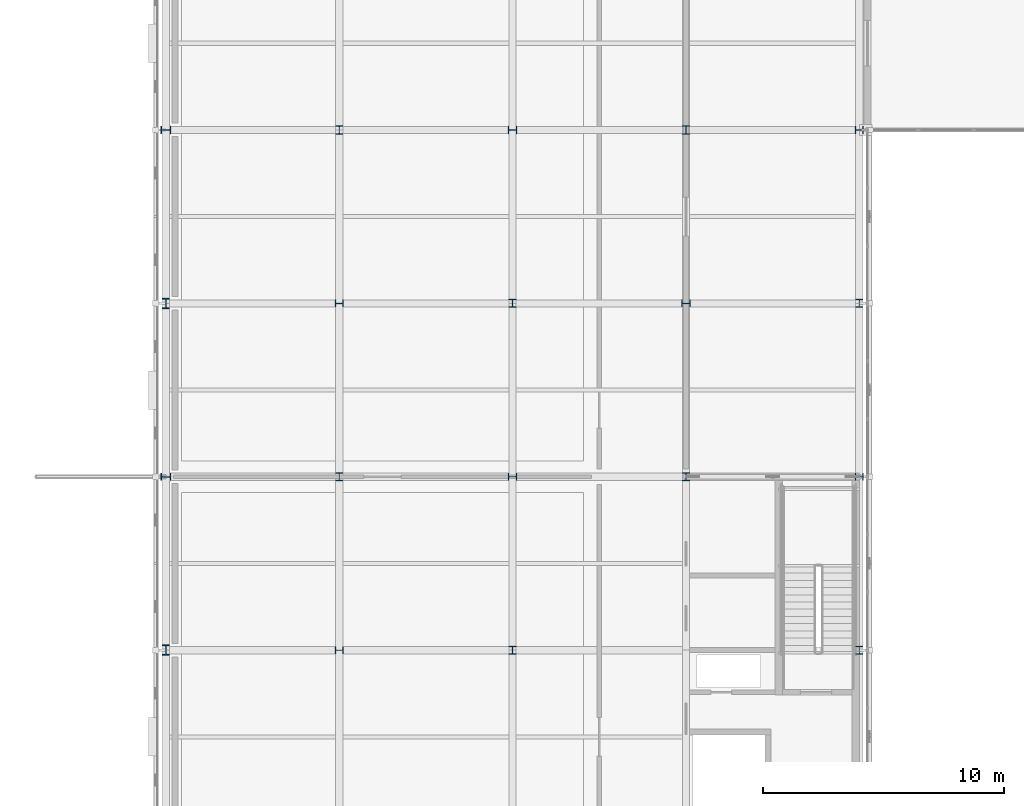
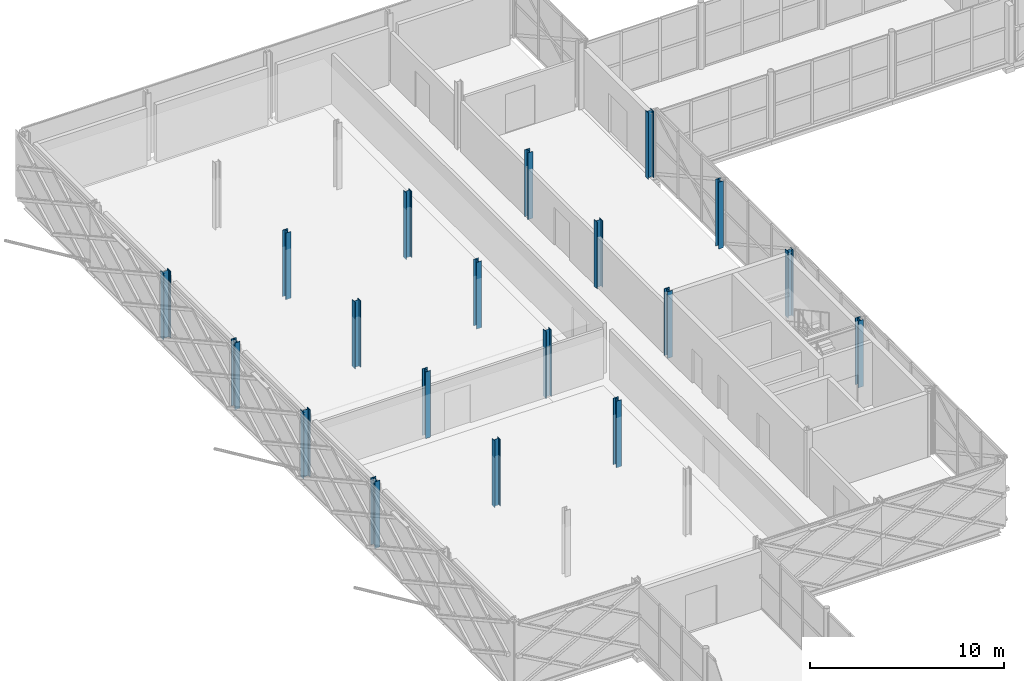
# One storey, part 12 of 146: 19 columns.
"""IFC4 building model written with IfcOpenShell, lengths in metres."""

import ifcopenshell
import ifcopenshell.guid

model = None  # the IFC model being written
_history = None  # IfcOwnerHistory: only IFC2X3 demands one
_inside = {}  # id of a spatial element -> (the spatial element, [elements in it])
_under = {}  # id of a project, library or spatial element -> (it, [spatial elements below it])
_declared = {}  # id of a project -> (the project, [libraries it declares])
_typed = {}  # id of a type object -> (the type object, [elements of that type])
_made_of = {}  # id of a material, layer set ... -> (it, [elements and type objects made of it])


def new_model(schema):
    """Start an empty IFC model of exactly this schema.

    Asked for "IFC4X3", IfcOpenShell would pick the latest addendum, in which some entities
    have other attributes; the version numbers below select the first issue.
    IFC2X3 requires an IfcOwnerHistory on every rooted entity: one is made here for all.
    """
    global model, _history
    if schema == "IFC4X3":
        model = ifcopenshell.file(schema_version=(4, 3, 0, 0))
    else:
        model = ifcopenshell.file(schema=schema)
    _inside.clear()
    _under.clear()
    _declared.clear()
    _typed.clear()
    _made_of.clear()
    _history = None
    if model.schema == "IFC2X3":
        org = make("IfcOrganization", Name="unknown")
        user = make(
            "IfcPersonAndOrganization",
            ThePerson=make("IfcPerson", FamilyName="unknown"),
            TheOrganization=org,
        )
        app = make(
            "IfcApplication",
            ApplicationDeveloper=org,
            Version="unknown",
            ApplicationFullName="unknown",
            ApplicationIdentifier="unknown",
        )
        _history = make(
            "IfcOwnerHistory",
            OwningUser=user,
            OwningApplication=app,
            ChangeAction="ADDED",
            CreationDate=0,
        )
    return model


def make(cls, **values):
    """One entity of the class cls with the attributes given. An attribute that is None is left unset."""
    return model.create_entity(
        cls, **{name: value for name, value in values.items() if value is not None}
    )


def rooted(cls, **values):
    """An entity with a GlobalId (a new one), such as an element, a storey or a relation."""
    return make(cls, GlobalId=ifcopenshell.guid.new(), OwnerHistory=_history, **values)


def si_unit(unit_type, name, prefix=None):
    """IfcSIUnit, for example si_unit("LENGTHUNIT", "METRE", prefix="MILLI")."""
    return make("IfcSIUnit", UnitType=unit_type, Prefix=prefix, Name=name)


def assignment(units):
    """IfcUnitAssignment: the units of a project."""
    return None if units is None else make("IfcUnitAssignment", Units=units)


def point(xyz):
    """IfcCartesianPoint."""
    return None if xyz is None else make("IfcCartesianPoint", Coordinates=xyz)


def direction(xyz):
    """IfcDirection."""
    return None if xyz is None else make("IfcDirection", DirectionRatios=xyz)


def frame(location, z_axis=None, x_axis=None):
    """IfcAxis2Placement3D, a coordinate frame: its origin and axes. An axis left out is left unset."""
    return make(
        "IfcAxis2Placement3D",
        Location=point(location),
        Axis=direction(z_axis),
        RefDirection=direction(x_axis),
    )


def frame_2d(location, x_axis=None):
    """IfcAxis2Placement2D, a coordinate frame in the plane: its origin and x axis."""
    return make(
        "IfcAxis2Placement2D", Location=point(location), RefDirection=direction(x_axis)
    )


def origin():
    """The frame at (0, 0, 0) with its axes left unset."""
    return frame((0.0, 0.0, 0.0))


def origin_2d():
    """The frame at (0, 0) in the plane with its x axis left unset."""
    return frame_2d((0.0, 0.0))


def place(relative_to, where):
    """IfcLocalPlacement: puts the frame where relative to a parent placement (None: the world)."""
    return make(
        "IfcLocalPlacement", PlacementRelTo=relative_to, RelativePlacement=where
    )


def context(
    kind, dimensions, precision=None, world=None, true_north=None, identifier=None
):
    """IfcGeometricRepresentationContext, for example the 3D "Model" context."""
    return make(
        "IfcGeometricRepresentationContext",
        ContextIdentifier=identifier,
        ContextType=kind,
        CoordinateSpaceDimension=dimensions,
        Precision=precision,
        WorldCoordinateSystem=world,
        TrueNorth=true_north,
    )


def subcontext(parent, identifier, kind, view, scale=None):
    """IfcGeometricRepresentationSubContext, for example "Body" below "Model"."""
    return make(
        "IfcGeometricRepresentationSubContext",
        ContextIdentifier=identifier,
        ContextType=kind,
        ParentContext=parent,
        TargetScale=scale,
        TargetView=view,
    )


def project(units=None, contexts=None):
    """IfcProject with its units and contexts."""
    return rooted(
        "IfcProject",
        Name="project",
        RepresentationContexts=contexts,
        UnitsInContext=assignment(units),
    )


def spatial(cls, under=None, at=None, **own):
    """A site, building, storey or space (cls), placed at a placement, below another one or the project."""
    s = rooted(cls, ObjectPlacement=at, **own)
    if under is not None:
        _under.setdefault(under.id(), (under, []))[1].append(s)
    return s


def profile(cls, at=None, kind="AREA", **sizes):
    """A parametric profile (cls). Its sizes go by their IFC names, for example OverallWidth=200.0."""
    return make(cls, ProfileType=kind, Position=at, **sizes)


def i_section(**sizes):
    """IfcIShapeProfileDef."""
    return profile("IfcIShapeProfileDef", **sizes)


def extrude(swept, where, along, depth):
    """IfcExtrudedAreaSolid: the profile swept, set in the frame where, extruded along a direction by depth."""
    return make(
        "IfcExtrudedAreaSolid",
        SweptArea=swept,
        Position=where,
        ExtrudedDirection=direction(along),
        Depth=depth,
    )


def shape(context_of_items, identifier, shape_type, items):
    """IfcShapeRepresentation: the items that make up one representation, for example the "Body"."""
    return make(
        "IfcShapeRepresentation",
        ContextOfItems=context_of_items,
        RepresentationIdentifier=identifier,
        RepresentationType=shape_type,
        Items=items,
    )


def material(Name=None, Category=None):
    """IfcMaterial."""
    return make("IfcMaterial", Name=Name, Category=Category)


def material_profile(
    of_material, cross_section, Name=None, Category=None, Priority=None
):
    """IfcMaterialProfile: a cross section and its material."""
    return make(
        "IfcMaterialProfile",
        Name=Name,
        Material=of_material,
        Profile=cross_section,
        Priority=Priority,
        Category=Category,
    )


def profile_set(profiles, Name=None, composite=None):
    """IfcMaterialProfileSet."""
    return make(
        "IfcMaterialProfileSet",
        Name=Name,
        MaterialProfiles=profiles,
        CompositeProfile=composite,
    )


def made_of(thing, what):
    """Note that an element or type object is made of a material, layer set ...; save() writes the relation."""
    if what is not None:
        _made_of.setdefault(what.id(), (what, []))[1].append(thing)
    return thing


def type_object(cls, material=None, **own):
    """A type object (cls), such as IfcWallType, which elements share."""
    return made_of(rooted(cls, **own), material)


def element(
    cls,
    number,
    at=None,
    inside=None,
    cuts=None,
    type_object=None,
    material=None,
    context=None,
    identifier="Body",
    shape_type=None,
    held_by="IfcProductDefinitionShape",
    body=None,
    shapes=None,
    **own,
):
    """One element of the class cls, such as IfcWall. Its Tag is "e" and its number.

    at: its placement. inside: the storey or other place that contains it. cuts: it is an
    opening in that element (IfcRelVoidsElement). A single representation is given by context,
    identifier, shape_type and body (its items); several are given by shapes. held_by: the class
    of the entity that holds the representations. save() writes the other relations.
    """
    e = rooted(cls, Tag="e%d" % number, ObjectPlacement=at, **own)
    if body is not None:
        shapes = [shape(context, identifier, shape_type, body)]
    if shapes is not None:
        e.Representation = make(held_by, Representations=shapes)
    if inside is not None:
        _inside.setdefault(inside.id(), (inside, []))[1].append(e)
    if cuts is not None:
        rooted(
            "IfcRelVoidsElement", RelatingBuildingElement=cuts, RelatedOpeningElement=e
        )
    if type_object is not None:
        _typed.setdefault(type_object.id(), (type_object, []))[1].append(e)
    return made_of(e, material)


def aggregate(whole, parts):
    """IfcRelAggregates: a whole, such as a stair, and the parts it consists of."""
    return rooted("IfcRelAggregates", RelatingObject=whole, RelatedObjects=parts)


def save(model, path):
    """Write the relations noted so far, then the file.

    IfcRelAggregates (storeys below a building ...), IfcRelContainedInSpatialStructure (elements
    in a storey), IfcRelDefinesByType, IfcRelAssociatesMaterial and IfcRelDeclares: one each for
    every whole, place, type object, material and project.
    """
    for whole, parts in _under.values():
        aggregate(whole, parts)
    for where, things in _inside.values():
        rooted(
            "IfcRelContainedInSpatialStructure",
            RelatedElements=things,
            RelatingStructure=where,
        )
    for kind, things in _typed.values():
        rooted("IfcRelDefinesByType", RelatedObjects=things, RelatingType=kind)
    for what, things in _made_of.values():
        rooted("IfcRelAssociatesMaterial", RelatedObjects=things, RelatingMaterial=what)
    for by, libraries in _declared.values():
        rooted("IfcRelDeclares", RelatingContext=by, RelatedDefinitions=libraries)
    model.write(path)


model = new_model("IFC4")

# Units and contexts
model_context = context("Model", 3, precision=1e-05, world=origin(), true_north=direction((0.0, 1.0)))
body_context = subcontext(model_context, "Body", "Model", "MODEL_VIEW")
ifc_project = project(units=[si_unit("LENGTHUNIT", "METRE"), si_unit("AREAUNIT", "SQUARE_METRE"), si_unit("VOLUMEUNIT", "CUBIC_METRE"), si_unit("PLANEANGLEUNIT", "RADIAN"), si_unit("MASSUNIT", "GRAM", prefix="KILO")], contexts=[model_context])

# Site, building, storey
site_placement = place(None, origin())
site = spatial("IfcSite", under=ifc_project, at=site_placement, CompositionType="ELEMENT")
building_placement = place(site_placement, origin())
building = spatial("IfcBuilding", under=site, at=building_placement, Name="Zlatovets Crest Museum", CompositionType="ELEMENT")
storey_placement = place(building_placement, frame((0.0, 0.0, 4.5)))
storey = spatial("IfcBuildingStorey", under=building, at=storey_placement, Name="L01", CompositionType="ELEMENT", Elevation=4.5)

# Columns
ifc_material = material(Name="Structural steel S355J2", Category="steel")
ifc_material_profile_1 = material_profile(ifc_material, i_section(OverallWidth=0.306884765625, OverallDepth=0.431884765625, WebThickness=0.02099609375, FlangeThickness=0.0400390625, FilletRadius=0.027099609375, at=origin_2d()), Name="HEM 400")
ifc_profile_set_1 = profile_set([ifc_material_profile_1], Name="Structural steel S355J2")
column_type_1 = type_object("IfcColumnType", Name="Col_C-11", PredefinedType="COLUMN", material=ifc_profile_set_1)
for number, where, z_axis, x_axis, name in (
    (1, (7.199951171875, 64.800048828125, 0.0), (0.0, 0.0, 1.0), (1.0, 0.0, 0.0), "V4 L01 Column (7.2, 64.8)"),
    (2, (7.199951171875, 72.0, 0.0), (0.0, 0.0, 1.0), (0.0, 1.0, 0.0), "V4 L01 Column (7.2, 72.0)"),
    (3, (7.199951171875, 79.199951171875, 0.0), (0.0, 0.0, 1.0), (1.0, 0.0, 0.0), "V4 L01 Column (7.2, 79.2)"),
    (4, (7.199951171875, 86.39990234375, 0.0), (0.0, 0.0, 1.0), (0.0, 1.0, 0.0), "V4 L01 Column (7.2, 86.4)"),
):
    element("IfcColumn", number, at=place(storey_placement, frame(where, z_axis=z_axis, x_axis=x_axis)), inside=storey, type_object=column_type_1, Name=name, PredefinedType="COLUMN", context=body_context, shape_type="SweptSolid", body=[
        extrude(i_section(OverallWidth=0.306884765625, OverallDepth=0.431884765625, WebThickness=0.02099609375, FlangeThickness=0.0400390625, FilletRadius=0.027099609375, at=origin_2d()), origin(), (0.0, 0.0, 1.0), 4.199951171875),
    ])
ifc_material_profile_2 = material_profile(ifc_material, i_section(OverallWidth=0.300048828125, OverallDepth=0.340087890625, WebThickness=0.011962890625, FlangeThickness=0.021484375, FilletRadius=0.027099609375, at=origin_2d()), Name="HEB 340")
ifc_profile_set_2 = profile_set([ifc_material_profile_2], Name="Structural steel S355J2")
column_type_2 = type_object("IfcColumnType", Name="Col_C-15", PredefinedType="COLUMN", material=ifc_profile_set_2)
for number, where, z_axis, x_axis, name in (
    (5, (14.39990234375, 64.800048828125, 0.0), (0.0, 0.0, 1.0), (0.0, 1.0, 0.0), "V4 L01 Column (14.4, 64.8)"),
    (6, (14.39990234375, 72.0, 0.0), (0.0, 0.0, 1.0), (1.0, 0.0, 0.0), "V4 L01 Column (14.4, 72.0)"),
    (7, (14.39990234375, 79.199951171875, 0.0), (0.0, 0.0, 1.0), (0.0, 1.0, 0.0), "V4 L01 Column (14.4, 79.2)"),
    (8, (14.39990234375, 86.39990234375, 0.0), (0.0, 0.0, 1.0), (1.0, 0.0, 0.0), "V4 L01 Column (14.4, 86.4)"),
    (9, (21.60009765625, 64.800048828125, 0.0), (0.0, 0.0, 1.0), (1.0, 0.0, 0.0), "V4 L01 Column (21.6, 64.8)"),
    (10, (21.60009765625, 72.0, 0.0), (0.0, 0.0, 1.0), (0.0, 1.0, 0.0), "V4 L01 Column (21.6, 72.0)"),
    (11, (21.60009765625, 79.199951171875, 0.0), (0.0, 0.0, 1.0), (1.0, 0.0, 0.0), "V4 L01 Column (21.6, 79.2)"),
    (12, (21.60009765625, 86.39990234375, 0.0), (0.0, 0.0, 1.0), (0.0, 1.0, 0.0), "V4 L01 Column (21.6, 86.4)"),
    (13, (28.800048828125, 72.0, 0.0), (0.0, 0.0, 1.0), (1.0, 0.0, 0.0), "V4 L01 Column (28.8, 72.0)"),
    (14, (28.800048828125, 79.199951171875, 0.0), (0.0, 0.0, 1.0), (0.0, 1.0, 0.0), "V4 L01 Column (28.8, 79.2)"),
    (15, (28.800048828125, 86.39990234375, 0.0), (0.0, 0.0, 1.0), (1.0, 0.0, 0.0), "V4 L01 Column (28.8, 86.4)"),
    (16, (36.0, 64.800048828125, 0.0), (0.0, 0.0, 1.0), (1.0, 0.0, 0.0), "V4 L01 Column (36.0, 64.8)"),
    (17, (36.0, 72.0, 0.0), (0.0, 0.0, 1.0), (0.0, 1.0, 0.0), "V4 L01 Column (36.0, 72.0)"),
    (18, (36.0, 79.199951171875, 0.0), (0.0, 0.0, 1.0), (1.0, 0.0, 0.0), "V4 L01 Column (36.0, 79.2)"),
    (19, (36.0, 86.39990234375, 0.0), (0.0, 0.0, 1.0), (0.0, 1.0, 0.0), "V4 L01 Column (36.0, 86.4)"),
):
    element("IfcColumn", number, at=place(storey_placement, frame(where, z_axis=z_axis, x_axis=x_axis)), inside=storey, type_object=column_type_2, Name=name, PredefinedType="COLUMN", context=body_context, shape_type="SweptSolid", body=[
        extrude(i_section(OverallWidth=0.300048828125, OverallDepth=0.340087890625, WebThickness=0.011962890625, FlangeThickness=0.021484375, FilletRadius=0.027099609375, at=origin_2d()), origin(), (0.0, 0.0, 1.0), 4.199951171875),
    ])

save(model, "model.ifc")
